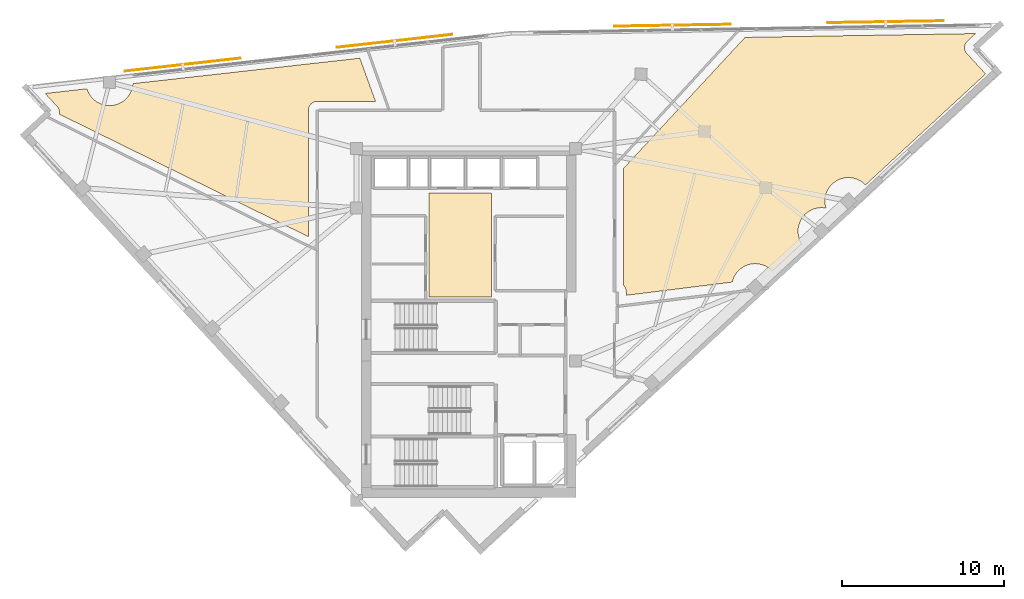
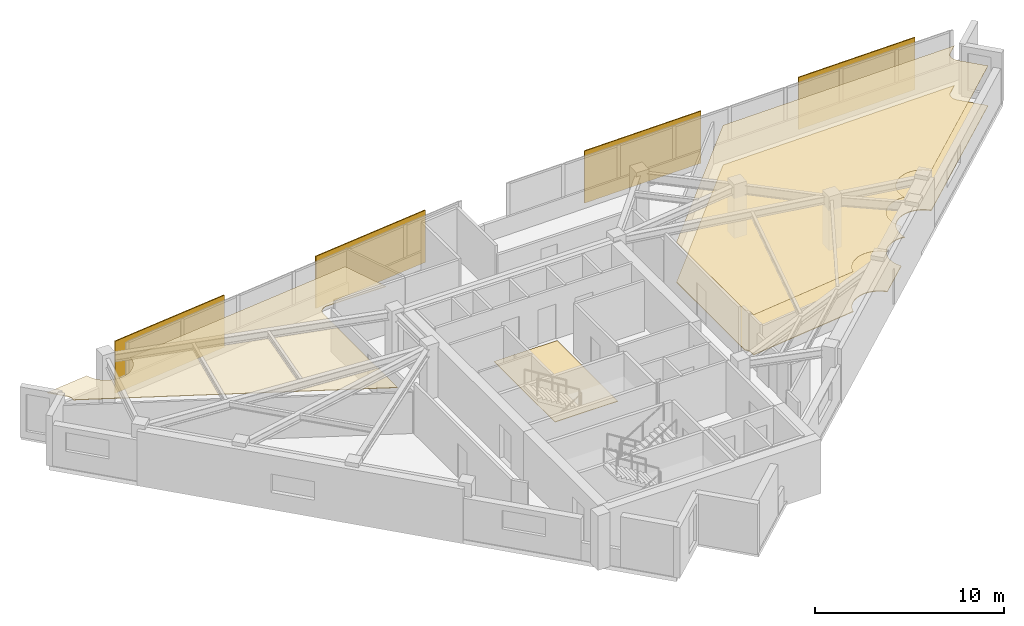
# One storey, part 12 of 12: 4 coverings, 4 shading devices.
"""IFC4 building model written with IfcOpenShell, lengths in metres."""

from ifc_helpers import new_model, si_unit, direction, frame, origin, origin_2d, place, context, subcontext, project, spatial, polyline, rectangle, outline, extrude, material, layer, layer_set, type_object, element, save


model = new_model("IFC4")

# Units and contexts
model_context = context("Model", 3, precision=1e-05, world=origin(), true_north=direction((0.0, 1.0)))
body_context = subcontext(model_context, "Body", "Model", "MODEL_VIEW")
ifc_project = project(units=[si_unit("LENGTHUNIT", "METRE"), si_unit("AREAUNIT", "SQUARE_METRE"), si_unit("VOLUMEUNIT", "CUBIC_METRE"), si_unit("PLANEANGLEUNIT", "RADIAN"), si_unit("MASSUNIT", "GRAM", prefix="KILO")], contexts=[model_context])

# Site, building, storey
site_placement = place(None, origin())
site = spatial("IfcSite", under=ifc_project, at=site_placement, CompositionType="ELEMENT")
building_placement = place(site_placement, origin())
building = spatial("IfcBuilding", under=site, at=building_placement, Name="Narakoshi Arena Tower", CompositionType="ELEMENT")
storey_placement = place(building_placement, frame((0.0, 0.0, 267.780029296875)))
storey = spatial("IfcBuildingStorey", under=building, at=storey_placement, Name="L73", CompositionType="ELEMENT", Elevation=267.780029296875)

# Coverings
ifc_material_1 = material(Name="Acoustic mineral-fibre ceiling tile")
ifc_layer_1 = layer(ifc_material_1, 0.02001953125)
ifc_layer_set_1 = layer_set([ifc_layer_1], Name="Acoustic mineral-fibre ceiling tile")
covering_type_1 = type_object("IfcCoveringType", Name="COV-CLG-AC20", PredefinedType="CEILING", material=ifc_layer_set_1)
covering_1_placement = place(storey_placement, frame((0.0, 0.0, 2.590087890625)))
element("IfcCovering", 1, at=covering_1_placement, inside=storey, type_object=covering_type_1, Name="L73 Suspended Acoustic Ceiling 1", PredefinedType="CEILING", context=body_context, shape_type="SweptSolid", body=[
    extrude(outline(polyline([(88.516845703125, 55.24853515625), (96.052001953125, 63.371337890625), (110.31787109375, 63.606201171875), (109.814453125, 63.140625), (109.776611328125, 63.10205078125), (109.742919921875, 63.06005859375), (109.71337890625, 63.014892578125), (109.688232421875, 62.967041015625), (109.668212890625, 62.9169921875), (109.653076171875, 62.865234375), (109.64306640625, 62.81201171875), (109.63818359375, 62.75830078125), (109.638916015625, 62.704345703125), (109.64453125, 62.65087890625), (109.655517578125, 62.597900390625), (109.671875, 62.54638671875), (109.69287109375, 62.496826171875), (109.71875, 62.449462890625), (109.749267578125, 62.40478515625), (109.783935546875, 62.363525390625), (110.94140625, 61.111328125), (103.500244140625, 54.23291015625), (103.46875, 54.267822265625), (103.36328125, 54.36328125), (103.2490234375, 54.447998046875), (103.126953125, 54.521240234375), (102.998291015625, 54.58203125), (102.8642578125, 54.630126953125), (102.726318359375, 54.66455078125), (102.58544921875, 54.685546875), (102.443359375, 54.6923828125), (102.30126953125, 54.685546875), (102.160400390625, 54.66455078125), (102.0224609375, 54.630126953125), (101.888427734375, 54.58203125), (101.760009765625, 54.521240234375), (101.6376953125, 54.447998046875), (101.5234375, 54.36328125), (101.418212890625, 54.267822265625), (101.322509765625, 54.162353515625), (101.23779296875, 54.048095703125), (101.16455078125, 53.926025390625), (101.103759765625, 53.79736328125), (101.055908203125, 53.663330078125), (101.021240234375, 53.525390625), (101.00048828125, 53.384521484375), (100.993408203125, 53.242431640625), (101.00048828125, 53.100341796875), (101.021240234375, 52.959716796875), (101.055908203125, 52.821533203125), (101.062744140625, 52.802001953125), (100.923828125, 52.822509765625), (100.78173828125, 52.82958984375), (100.6396484375, 52.822509765625), (100.498779296875, 52.8017578125), (100.36083984375, 52.76708984375), (100.226806640625, 52.71923828125), (100.09814453125, 52.658447265625), (99.97607421875, 52.585205078125), (99.86181640625, 52.50048828125), (99.75634765625, 52.40478515625), (99.660888671875, 52.299560546875), (99.576171875, 52.185302734375), (99.5029296875, 52.06298828125), (99.442138671875, 51.9345703125), (99.39404296875, 51.800537109375), (99.359619140625, 51.66259765625), (99.338623046875, 51.521728515625), (99.331787109375, 51.379638671875), (99.338623046875, 51.237548828125), (99.359619140625, 51.0966796875), (99.39404296875, 50.958740234375), (99.442138671875, 50.82470703125), (99.5029296875, 50.696044921875), (99.56396484375, 50.59423828125), (97.735595703125, 48.904296875), (97.7041015625, 48.939208984375), (97.5986328125, 49.03466796875), (97.484375, 49.119384765625), (97.3623046875, 49.192626953125), (97.233642578125, 49.25341796875), (97.099609375, 49.301513671875), (96.961669921875, 49.3359375), (96.82080078125, 49.356689453125), (96.6787109375, 49.36376953125), (96.53662109375, 49.356689453125), (96.395751953125, 49.3359375), (96.2578125, 49.301513671875), (96.123779296875, 49.25341796875), (95.9951171875, 49.192626953125), (95.873046875, 49.119384765625), (95.7587890625, 49.03466796875), (95.6533203125, 48.939208984375), (95.557861328125, 48.833740234375), (95.47314453125, 48.719482421875), (95.39990234375, 48.597412109375), (95.339111328125, 48.46875), (95.291015625, 48.334716796875), (95.26318359375, 48.22314453125), (88.699951171875, 47.4033203125), (88.699951171875, 47.6201171875), (88.697509765625, 47.673828125), (88.689453125, 47.727294921875), (88.67626953125, 47.77978515625), (88.658203125, 47.83056640625), (88.635009765625, 47.87939453125), (88.607421875, 47.925537109375), (88.5751953125, 47.968994140625), (88.538818359375, 48.0087890625), (88.516845703125, 48.02880859375), (88.516845703125, 55.24853515625)])), origin(), (0.0, 0.0, 1.0), 0.019775390625),
])
ifc_material_2 = material(Name="Slatted oak acoustic timber baffle", Category="wood")
ifc_layer_2 = layer(ifc_material_2, 0.034912109375)
ifc_layer_set_2 = layer_set([ifc_layer_2], Name="Slatted oak acoustic timber baffle")
covering_type_2 = type_object("IfcCoveringType", Name="COV-CLG-WD35", PredefinedType="CEILING", material=ifc_layer_set_2)
covering_2_placement = place(storey_placement, frame((0.0, 0.0, 2.574951171875)))
element("IfcCovering", 2, at=covering_2_placement, inside=storey, type_object=covering_type_2, Name="L73 Suspended Acoustic Ceiling 2", PredefinedType="CEILING", context=body_context, shape_type="SweptSolid", body=[
    extrude(outline(polyline([(55.326171875, 60.190673828125), (55.32958984375, 60.17724609375), (55.37744140625, 60.043212890625), (55.438232421875, 59.91455078125), (55.511474609375, 59.79248046875), (55.59619140625, 59.67822265625), (55.69189453125, 59.57275390625), (55.797119140625, 59.477294921875), (55.91162109375, 59.392578125), (56.03369140625, 59.3193359375), (56.162109375, 59.258544921875), (56.296142578125, 59.21044921875), (56.43408203125, 59.176025390625), (56.574951171875, 59.155029296875), (56.717041015625, 59.148193359375), (56.859130859375, 59.155029296875), (57.0, 59.176025390625), (57.137939453125, 59.21044921875), (57.27197265625, 59.258544921875), (57.400634765625, 59.3193359375), (57.522705078125, 59.392578125), (57.636962890625, 59.477294921875), (57.742431640625, 59.57275390625), (57.837890625, 59.67822265625), (57.922607421875, 59.79248046875), (57.995849609375, 59.91455078125), (58.056640625, 60.043212890625), (58.104736328125, 60.17724609375), (58.13916015625, 60.315185546875), (58.16015625, 60.4560546875), (58.16259765625, 60.508544921875), (72.209716796875, 62.0830078125), (73.178955078125, 59.416748046875), (69.583251953125, 59.416748046875), (69.529296875, 59.414306640625), (69.475830078125, 59.40625), (69.423583984375, 59.39306640625), (69.372802734375, 59.375), (69.323974609375, 59.351806640625), (69.277587890625, 59.32421875), (69.234375, 59.2919921875), (69.1943359375, 59.255615234375), (69.157958984375, 59.2158203125), (69.1259765625, 59.17236328125), (69.09814453125, 59.126220703125), (69.0751953125, 59.077392578125), (69.056884765625, 59.026611328125), (69.043701171875, 58.97412109375), (69.035888671875, 58.920654296875), (69.033203125, 58.86669921875), (69.033203125, 51.03076171875), (53.60595703125, 58.619384765625), (53.61181640625, 58.651611328125), (53.61669921875, 58.705322265625), (53.6162109375, 58.75927734375), (53.6103515625, 58.81298828125), (53.599365234375, 58.86572265625), (53.5830078125, 58.917236328125), (53.56201171875, 58.966796875), (53.535888671875, 59.01416015625), (53.505615234375, 59.058837890625), (53.470947265625, 59.10009765625), (52.731689453125, 59.89990234375), (55.326171875, 60.190673828125)])), origin(), (0.0, 0.0, 1.0), 0.034912109375),
])
ifc_material_3 = material(Name="Raised steel access floor panel", Category="steel")
ifc_layer_3 = layer(ifc_material_3, 0.044921875)
ifc_layer_set_3 = layer_set([ifc_layer_3], Name="Raised steel access floor panel")
covering_type_3 = type_object("IfcCoveringType", Name="COV-FLR-RF45", PredefinedType="FLOORING", material=ifc_layer_set_3)
covering_3_placement = place(storey_placement, origin())
element("IfcCovering", 3, at=covering_3_placement, inside=storey, type_object=covering_type_3, Name="L73 Raised Steel Access Floor", PredefinedType="FLOORING", context=body_context, shape_type="SweptSolid", body=[
    extrude(outline(polyline([(88.516845703125, 55.24853515625), (96.052001953125, 63.371337890625), (110.31787109375, 63.606201171875), (109.814453125, 63.140625), (109.776611328125, 63.10205078125), (109.742919921875, 63.06005859375), (109.71337890625, 63.014892578125), (109.688232421875, 62.967041015625), (109.668212890625, 62.9169921875), (109.653076171875, 62.865234375), (109.64306640625, 62.81201171875), (109.63818359375, 62.75830078125), (109.638916015625, 62.704345703125), (109.64453125, 62.65087890625), (109.655517578125, 62.597900390625), (109.671875, 62.54638671875), (109.69287109375, 62.496826171875), (109.71875, 62.449462890625), (109.749267578125, 62.40478515625), (109.783935546875, 62.363525390625), (110.94140625, 61.111328125), (103.500244140625, 54.23291015625), (103.46875, 54.267822265625), (103.36328125, 54.36328125), (103.2490234375, 54.447998046875), (103.126953125, 54.521240234375), (102.998291015625, 54.58203125), (102.8642578125, 54.630126953125), (102.726318359375, 54.66455078125), (102.58544921875, 54.685546875), (102.443359375, 54.6923828125), (102.30126953125, 54.685546875), (102.160400390625, 54.66455078125), (102.0224609375, 54.630126953125), (101.888427734375, 54.58203125), (101.760009765625, 54.521240234375), (101.6376953125, 54.447998046875), (101.5234375, 54.36328125), (101.418212890625, 54.267822265625), (101.322509765625, 54.162353515625), (101.23779296875, 54.048095703125), (101.16455078125, 53.926025390625), (101.103759765625, 53.79736328125), (101.055908203125, 53.663330078125), (101.021240234375, 53.525390625), (101.00048828125, 53.384521484375), (100.993408203125, 53.242431640625), (101.00048828125, 53.100341796875), (101.021240234375, 52.959716796875), (101.055908203125, 52.821533203125), (101.062744140625, 52.802001953125), (100.923828125, 52.822509765625), (100.78173828125, 52.82958984375), (100.6396484375, 52.822509765625), (100.498779296875, 52.8017578125), (100.36083984375, 52.76708984375), (100.226806640625, 52.71923828125), (100.09814453125, 52.658447265625), (99.97607421875, 52.585205078125), (99.86181640625, 52.50048828125), (99.75634765625, 52.40478515625), (99.660888671875, 52.299560546875), (99.576171875, 52.185302734375), (99.5029296875, 52.06298828125), (99.442138671875, 51.9345703125), (99.39404296875, 51.800537109375), (99.359619140625, 51.66259765625), (99.338623046875, 51.521728515625), (99.331787109375, 51.379638671875), (99.338623046875, 51.237548828125), (99.359619140625, 51.0966796875), (99.39404296875, 50.958740234375), (99.442138671875, 50.82470703125), (99.5029296875, 50.696044921875), (99.56396484375, 50.59423828125), (97.735595703125, 48.904296875), (97.7041015625, 48.939208984375), (97.5986328125, 49.03466796875), (97.484375, 49.119384765625), (97.3623046875, 49.192626953125), (97.233642578125, 49.25341796875), (97.099609375, 49.301513671875), (96.961669921875, 49.3359375), (96.82080078125, 49.356689453125), (96.6787109375, 49.36376953125), (96.53662109375, 49.356689453125), (96.395751953125, 49.3359375), (96.2578125, 49.301513671875), (96.123779296875, 49.25341796875), (95.9951171875, 49.192626953125), (95.873046875, 49.119384765625), (95.7587890625, 49.03466796875), (95.6533203125, 48.939208984375), (95.557861328125, 48.833740234375), (95.47314453125, 48.719482421875), (95.39990234375, 48.597412109375), (95.339111328125, 48.46875), (95.291015625, 48.334716796875), (95.26318359375, 48.22314453125), (88.699951171875, 47.4033203125), (88.699951171875, 47.6201171875), (88.697509765625, 47.673828125), (88.689453125, 47.727294921875), (88.67626953125, 47.77978515625), (88.658203125, 47.83056640625), (88.635009765625, 47.87939453125), (88.607421875, 47.925537109375), (88.5751953125, 47.968994140625), (88.538818359375, 48.0087890625), (88.516845703125, 48.02880859375), (88.516845703125, 55.24853515625)])), origin(), (0.0, 0.0, 1.0), 0.044921875),
])
ifc_material_4 = material(Name="Honed granite stone paving", Category="masonry")
ifc_layer_4 = layer(ifc_material_4, 0.030029296875)
ifc_layer_set_4 = layer_set([ifc_layer_4], Name="Honed granite stone paving")
covering_type_4 = type_object("IfcCoveringType", Name="COV-FLR-ST30", PredefinedType="FLOORING", material=ifc_layer_set_4)
covering_4_placement = place(storey_placement, origin())
element("IfcCovering", 4, at=covering_4_placement, inside=storey, type_object=covering_type_4, Name="L73 Lift Lobby Granite Flooring", PredefinedType="FLOORING", context=body_context, shape_type="SweptSolid", body=[
    extrude(outline(polyline([(76.5, 47.300048828125), (80.35009765625, 47.300048828125), (80.35009765625, 53.75), (76.5, 53.75), (76.5, 47.300048828125)])), origin(), (0.0, 0.0, 1.0), 0.030029296875),
])

# Shading devices
ifc_material_5 = material(Name="Perforated bronze ceramic-metal composite")
ifc_layer_5 = layer(ifc_material_5, 0.06005859375)
ifc_layer_set_5 = layer_set([ifc_layer_5], Name="Perforated bronze ceramic-metal composite")
shading_device_type = type_object("IfcShadingDeviceType", Name="SHD-SCR-BRZ2", PredefinedType="USERDEFINED", material=ifc_layer_set_5)
for number, where, z_axis, x_axis, name in (
    (5, (104.75439453125, 64.334716796875, 0.0), (0.0, 0.0, 1.0), (-0.999864849778, -0.016440260879, 0.0), "L73 Perforated Bronze Solar Screen 1-1"),
    (6, (91.556396484375, 64.11767578125, 0.0), (0.0, 0.0, 1.0), (-0.999864849778, -0.016440260879, 0.0), "L73 Perforated Bronze Solar Screen 1-2"),
    (7, (74.3623046875, 63.149658203125, 0.0), (0.0, 0.0, 1.0), (-0.993775698738, -0.111399553846, 0.0), "L73 Perforated Bronze Solar Screen 2-1"),
    (8, (61.24462890625, 61.67919921875, 0.0), (0.0, 0.0, 1.0), (-0.993775698738, -0.111399553846, 0.0), "L73 Perforated Bronze Solar Screen 2-2"),
):
    element("IfcShadingDevice", number, at=place(storey_placement, frame(where, z_axis=z_axis, x_axis=x_axis)), inside=storey, type_object=shading_device_type, Name=name, ObjectType="SOLAR SCREEN", PredefinedType="USERDEFINED", context=body_context, shape_type="SweptSolid", body=[
        extrude(rectangle(XDim=7.199951171875, YDim=0.06005859375, at=origin_2d()), origin(), (0.0, 0.0, 1.0), 3.3701171875),
    ])

save(model, "model.ifc")
